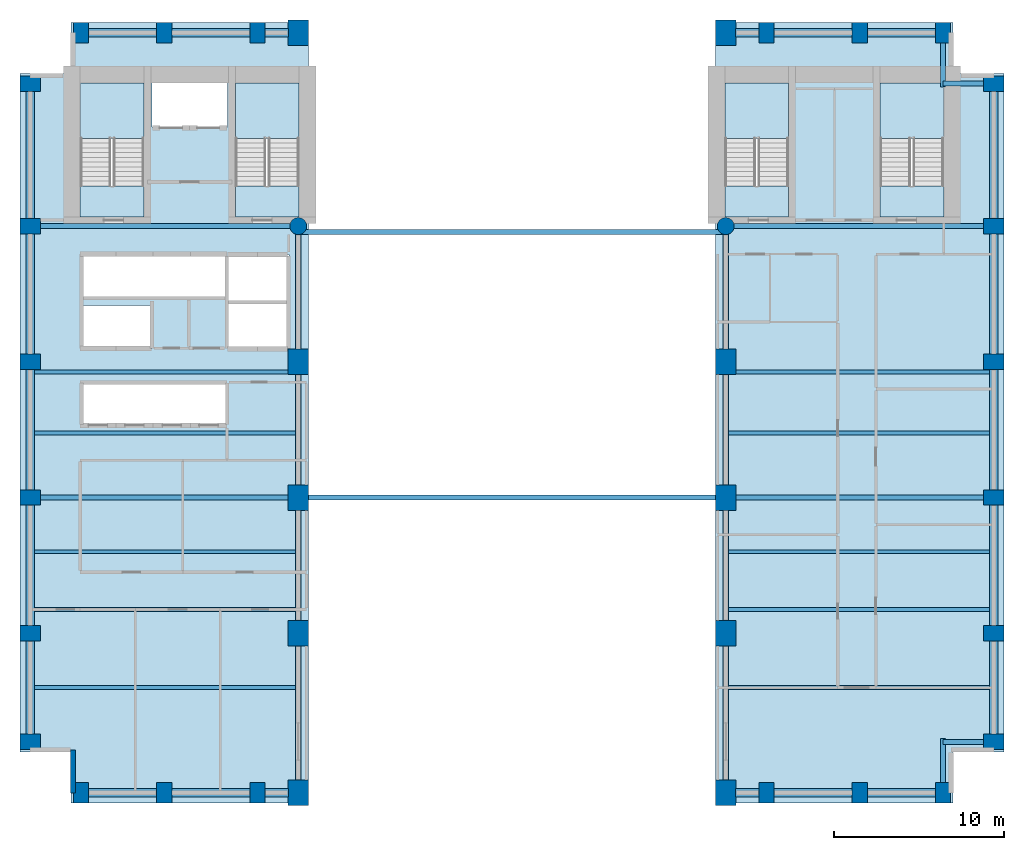
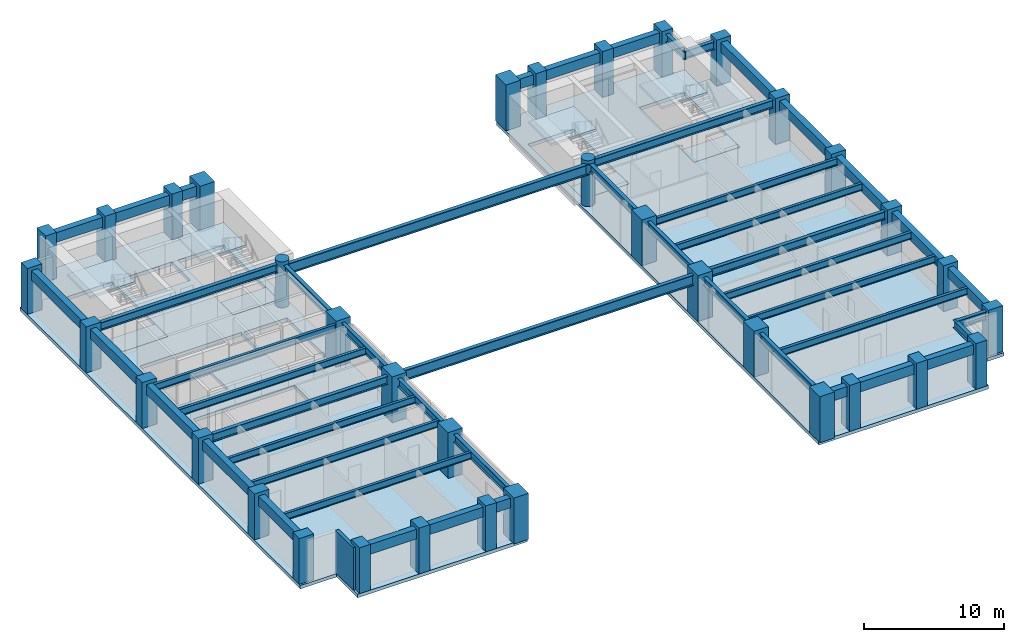
# One storey, part 1 of 7: 46 beams, 36 columns, 10 slabs, 1 wall, 4 elements without a shape of their own.
"""IFC4 building model written with IfcOpenShell, lengths in metres."""

import ifcopenshell
import ifcopenshell.guid

model = None  # the IFC model being written
_history = None  # IfcOwnerHistory: only IFC2X3 demands one
_inside = {}  # id of a spatial element -> (the spatial element, [elements in it])
_under = {}  # id of a project, library or spatial element -> (it, [spatial elements below it])
_declared = {}  # id of a project -> (the project, [libraries it declares])
_typed = {}  # id of a type object -> (the type object, [elements of that type])
_made_of = {}  # id of a material, layer set ... -> (it, [elements and type objects made of it])


def new_model(schema):
    """Start an empty IFC model of exactly this schema.

    Asked for "IFC4X3", IfcOpenShell would pick the latest addendum, in which some entities
    have other attributes; the version numbers below select the first issue.
    IFC2X3 requires an IfcOwnerHistory on every rooted entity: one is made here for all.
    """
    global model, _history
    if schema == "IFC4X3":
        model = ifcopenshell.file(schema_version=(4, 3, 0, 0))
    else:
        model = ifcopenshell.file(schema=schema)
    _inside.clear()
    _under.clear()
    _declared.clear()
    _typed.clear()
    _made_of.clear()
    _history = None
    if model.schema == "IFC2X3":
        org = make("IfcOrganization", Name="unknown")
        user = make(
            "IfcPersonAndOrganization",
            ThePerson=make("IfcPerson", FamilyName="unknown"),
            TheOrganization=org,
        )
        app = make(
            "IfcApplication",
            ApplicationDeveloper=org,
            Version="unknown",
            ApplicationFullName="unknown",
            ApplicationIdentifier="unknown",
        )
        _history = make(
            "IfcOwnerHistory",
            OwningUser=user,
            OwningApplication=app,
            ChangeAction="ADDED",
            CreationDate=0,
        )
    return model


def make(cls, **values):
    """One entity of the class cls with the attributes given. An attribute that is None is left unset."""
    return model.create_entity(
        cls, **{name: value for name, value in values.items() if value is not None}
    )


def rooted(cls, **values):
    """An entity with a GlobalId (a new one), such as an element, a storey or a relation."""
    return make(cls, GlobalId=ifcopenshell.guid.new(), OwnerHistory=_history, **values)


def si_unit(unit_type, name, prefix=None):
    """IfcSIUnit, for example si_unit("LENGTHUNIT", "METRE", prefix="MILLI")."""
    return make("IfcSIUnit", UnitType=unit_type, Prefix=prefix, Name=name)


def assignment(units):
    """IfcUnitAssignment: the units of a project."""
    return None if units is None else make("IfcUnitAssignment", Units=units)


def point(xyz):
    """IfcCartesianPoint."""
    return None if xyz is None else make("IfcCartesianPoint", Coordinates=xyz)


def direction(xyz):
    """IfcDirection."""
    return None if xyz is None else make("IfcDirection", DirectionRatios=xyz)


def frame(location, z_axis=None, x_axis=None):
    """IfcAxis2Placement3D, a coordinate frame: its origin and axes. An axis left out is left unset."""
    return make(
        "IfcAxis2Placement3D",
        Location=point(location),
        Axis=direction(z_axis),
        RefDirection=direction(x_axis),
    )


def frame_2d(location, x_axis=None):
    """IfcAxis2Placement2D, a coordinate frame in the plane: its origin and x axis."""
    return make(
        "IfcAxis2Placement2D", Location=point(location), RefDirection=direction(x_axis)
    )


def origin():
    """The frame at (0, 0, 0) with its axes left unset."""
    return frame((0.0, 0.0, 0.0))


def origin_2d():
    """The frame at (0, 0) in the plane with its x axis left unset."""
    return frame_2d((0.0, 0.0))


def place(relative_to, where):
    """IfcLocalPlacement: puts the frame where relative to a parent placement (None: the world)."""
    return make(
        "IfcLocalPlacement", PlacementRelTo=relative_to, RelativePlacement=where
    )


def context(
    kind, dimensions, precision=None, world=None, true_north=None, identifier=None
):
    """IfcGeometricRepresentationContext, for example the 3D "Model" context."""
    return make(
        "IfcGeometricRepresentationContext",
        ContextIdentifier=identifier,
        ContextType=kind,
        CoordinateSpaceDimension=dimensions,
        Precision=precision,
        WorldCoordinateSystem=world,
        TrueNorth=true_north,
    )


def subcontext(parent, identifier, kind, view, scale=None):
    """IfcGeometricRepresentationSubContext, for example "Body" below "Model"."""
    return make(
        "IfcGeometricRepresentationSubContext",
        ContextIdentifier=identifier,
        ContextType=kind,
        ParentContext=parent,
        TargetScale=scale,
        TargetView=view,
    )


def project(units=None, contexts=None):
    """IfcProject with its units and contexts."""
    return rooted(
        "IfcProject",
        Name="project",
        RepresentationContexts=contexts,
        UnitsInContext=assignment(units),
    )


def spatial(cls, under=None, at=None, **own):
    """A site, building, storey or space (cls), placed at a placement, below another one or the project."""
    s = rooted(cls, ObjectPlacement=at, **own)
    if under is not None:
        _under.setdefault(under.id(), (under, []))[1].append(s)
    return s


def polyline(points):
    """IfcPolyline through the points."""
    return make("IfcPolyline", Points=[point(p) for p in points])


def profile(cls, at=None, kind="AREA", **sizes):
    """A parametric profile (cls). Its sizes go by their IFC names, for example OverallWidth=200.0."""
    return make(cls, ProfileType=kind, Position=at, **sizes)


def rectangle(**sizes):
    """IfcRectangleProfileDef."""
    return profile("IfcRectangleProfileDef", **sizes)


def circle(**sizes):
    """IfcCircleProfileDef."""
    return profile("IfcCircleProfileDef", **sizes)


def i_section(**sizes):
    """IfcIShapeProfileDef."""
    return profile("IfcIShapeProfileDef", **sizes)


def outline(outer, holes=None, kind="AREA"):
    """IfcArbitraryClosedProfileDef: a profile drawn as a closed curve; with holes, ...WithVoids."""
    if holes is None:
        return make("IfcArbitraryClosedProfileDef", ProfileType=kind, OuterCurve=outer)
    return make(
        "IfcArbitraryProfileDefWithVoids",
        ProfileType=kind,
        OuterCurve=outer,
        InnerCurves=holes,
    )


def extrude(swept, where, along, depth):
    """IfcExtrudedAreaSolid: the profile swept, set in the frame where, extruded along a direction by depth."""
    return make(
        "IfcExtrudedAreaSolid",
        SweptArea=swept,
        Position=where,
        ExtrudedDirection=direction(along),
        Depth=depth,
    )


def shape(context_of_items, identifier, shape_type, items):
    """IfcShapeRepresentation: the items that make up one representation, for example the "Body"."""
    return make(
        "IfcShapeRepresentation",
        ContextOfItems=context_of_items,
        RepresentationIdentifier=identifier,
        RepresentationType=shape_type,
        Items=items,
    )


def material(Name=None, Category=None):
    """IfcMaterial."""
    return make("IfcMaterial", Name=Name, Category=Category)


def layer(
    of_material, thickness, ventilated=None, Name=None, Category=None, Priority=None
):
    """IfcMaterialLayer: one layer of a wall or slab, of a material (None: an air gap)."""
    return make(
        "IfcMaterialLayer",
        Material=of_material,
        LayerThickness=thickness,
        IsVentilated=ventilated,
        Name=Name,
        Category=Category,
        Priority=Priority,
    )


def layer_set(layers, Name=None):
    """IfcMaterialLayerSet."""
    return make("IfcMaterialLayerSet", MaterialLayers=layers, LayerSetName=Name)


def material_profile(
    of_material, cross_section, Name=None, Category=None, Priority=None
):
    """IfcMaterialProfile: a cross section and its material."""
    return make(
        "IfcMaterialProfile",
        Name=Name,
        Material=of_material,
        Profile=cross_section,
        Priority=Priority,
        Category=Category,
    )


def profile_set(profiles, Name=None, composite=None):
    """IfcMaterialProfileSet."""
    return make(
        "IfcMaterialProfileSet",
        Name=Name,
        MaterialProfiles=profiles,
        CompositeProfile=composite,
    )


def made_of(thing, what):
    """Note that an element or type object is made of a material, layer set ...; save() writes the relation."""
    if what is not None:
        _made_of.setdefault(what.id(), (what, []))[1].append(thing)
    return thing


def type_object(cls, material=None, **own):
    """A type object (cls), such as IfcWallType, which elements share."""
    return made_of(rooted(cls, **own), material)


def element(
    cls,
    number,
    at=None,
    inside=None,
    cuts=None,
    type_object=None,
    material=None,
    context=None,
    identifier="Body",
    shape_type=None,
    held_by="IfcProductDefinitionShape",
    body=None,
    shapes=None,
    **own,
):
    """One element of the class cls, such as IfcWall. Its Tag is "e" and its number.

    at: its placement. inside: the storey or other place that contains it. cuts: it is an
    opening in that element (IfcRelVoidsElement). A single representation is given by context,
    identifier, shape_type and body (its items); several are given by shapes. held_by: the class
    of the entity that holds the representations. save() writes the other relations.
    """
    e = rooted(cls, Tag="e%d" % number, ObjectPlacement=at, **own)
    if body is not None:
        shapes = [shape(context, identifier, shape_type, body)]
    if shapes is not None:
        e.Representation = make(held_by, Representations=shapes)
    if inside is not None:
        _inside.setdefault(inside.id(), (inside, []))[1].append(e)
    if cuts is not None:
        rooted(
            "IfcRelVoidsElement", RelatingBuildingElement=cuts, RelatedOpeningElement=e
        )
    if type_object is not None:
        _typed.setdefault(type_object.id(), (type_object, []))[1].append(e)
    return made_of(e, material)


def aggregate(whole, parts):
    """IfcRelAggregates: a whole, such as a stair, and the parts it consists of."""
    return rooted("IfcRelAggregates", RelatingObject=whole, RelatedObjects=parts)


def save(model, path):
    """Write the relations noted so far, then the file.

    IfcRelAggregates (storeys below a building ...), IfcRelContainedInSpatialStructure (elements
    in a storey), IfcRelDefinesByType, IfcRelAssociatesMaterial and IfcRelDeclares: one each for
    every whole, place, type object, material and project.
    """
    for whole, parts in _under.values():
        aggregate(whole, parts)
    for where, things in _inside.values():
        rooted(
            "IfcRelContainedInSpatialStructure",
            RelatedElements=things,
            RelatingStructure=where,
        )
    for kind, things in _typed.values():
        rooted("IfcRelDefinesByType", RelatedObjects=things, RelatingType=kind)
    for what, things in _made_of.values():
        rooted("IfcRelAssociatesMaterial", RelatedObjects=things, RelatingMaterial=what)
    for by, libraries in _declared.values():
        rooted("IfcRelDeclares", RelatingContext=by, RelatedDefinitions=libraries)
    model.write(path)


model = new_model("IFC4")

# Units and contexts
model_context = context("Model", 3, precision=1e-05, world=origin(), true_north=direction((0.0, 1.0)))
body_context = subcontext(model_context, "Body", "Model", "MODEL_VIEW")
ifc_project = project(units=[si_unit("LENGTHUNIT", "METRE"), si_unit("AREAUNIT", "SQUARE_METRE"), si_unit("VOLUMEUNIT", "CUBIC_METRE"), si_unit("PLANEANGLEUNIT", "RADIAN"), si_unit("MASSUNIT", "GRAM", prefix="KILO")], contexts=[model_context])

# Site, building, storey
site_placement = place(None, origin())
site = spatial("IfcSite", under=ifc_project, at=site_placement, CompositionType="ELEMENT")
building_placement = place(site_placement, origin())
building = spatial("IfcBuilding", under=site, at=building_placement, Name="Sulina Concourse Tower", CompositionType="ELEMENT")
storey_placement = place(building_placement, frame((0.0, 0.0, 34.60009765625)))
storey = spatial("IfcBuildingStorey", under=building, at=storey_placement, Name="L08", CompositionType="ELEMENT", Elevation=34.60009765625)

# Columns
ifc_material_1 = material(Name="Concrete C60/75", Category="concrete")
ifc_material_profile_1 = material_profile(ifc_material_1, circle(Radius=0.5, at=origin_2d()), Name="RC D1000")
ifc_profile_set_1 = profile_set([ifc_material_profile_1], Name="Concrete C60/75")
column_type_1 = type_object("IfcColumnType", Name="Lower Interior Circular Column D1000", PredefinedType="COLUMN", material=ifc_profile_set_1)
for number, where, z_axis, x_axis, name in (
    (1, (16.39990234375, 34.0, 0.0), (0.0, 0.0, 1.0), (1.0, 0.0, 0.0), "L08 structural column IC-N-164"),
    (2, (41.60009765625, 34.0, 0.0), (0.0, 0.0, 1.0), (1.0, 0.0, 0.0), "L08 structural column IC-N-416"),
):
    element("IfcColumn", number, at=place(storey_placement, frame(where, z_axis=z_axis, x_axis=x_axis)), inside=storey, type_object=column_type_1, Name=name, PredefinedType="COLUMN", context=body_context, shape_type="SweptSolid", body=[
        extrude(circle(Radius=0.5, at=origin_2d()), origin(), (0.0, 0.0, 1.0), 4.0),
    ])
ifc_material_2 = material(Name="Concrete C80/95", Category="concrete")
ifc_material_profile_2 = material_profile(ifc_material_2, rectangle(XDim=1.199951171875, YDim=1.5, at=origin_2d()), Name="RC 1200x1500")
ifc_profile_set_2 = profile_set([ifc_material_profile_2], Name="Concrete C80/95")
column_type_2 = type_object("IfcColumnType", Name="Lower Portal End-Leg Column 1200x1500", PredefinedType="COLUMN", material=ifc_profile_set_2)
for number, where, z_axis, x_axis, name in (
    (3, (16.39990234375, 0.60009765625, 0.0), (0.0, 0.0, 1.0), (1.0, 0.0, 0.0), "L08 structural column TP-S-164"),
    (4, (16.39990234375, 45.39990234375, 0.0), (0.0, 0.0, 1.0), (1.0, 0.0, 0.0), "L08 structural column TP-N-164"),
    (5, (41.60009765625, 0.60009765625, 0.0), (0.0, 0.0, 1.0), (1.0, 0.0, 0.0), "L08 structural column TP-S-416"),
    (6, (41.60009765625, 45.39990234375, 0.0), (0.0, 0.0, 1.0), (1.0, 0.0, 0.0), "L08 structural column TP-N-416"),
    (7, (16.39990234375, 10.0, 0.0), (0.0, 0.0, 1.0), (1.0, 0.0, 0.0), "L08 structural column LP-FW-10"),
    (8, (41.60009765625, 10.0, 0.0), (0.0, 0.0, 1.0), (1.0, 0.0, 0.0), "L08 structural column LP-FE-10"),
    (9, (16.39990234375, 18.0, 0.0), (0.0, 0.0, 1.0), (1.0, 0.0, 0.0), "L08 structural column LP-FW-18"),
    (10, (41.60009765625, 18.0, 0.0), (0.0, 0.0, 1.0), (1.0, 0.0, 0.0), "L08 structural column LP-FE-18"),
    (11, (16.39990234375, 26.0, 0.0), (0.0, 0.0, 1.0), (1.0, 0.0, 0.0), "L08 structural column LP-FW-26"),
    (12, (41.60009765625, 26.0, 0.0), (0.0, 0.0, 1.0), (1.0, 0.0, 0.0), "L08 structural column LP-FE-26"),
):
    element("IfcColumn", number, at=place(storey_placement, frame(where, z_axis=z_axis, x_axis=x_axis)), inside=storey, type_object=column_type_2, Name=name, PredefinedType="COLUMN", context=body_context, shape_type="SweptSolid", body=[
        extrude(rectangle(XDim=1.199951171875, YDim=1.5, at=origin_2d()), origin(), (0.0, 0.0, 1.0), 4.0),
    ])
ifc_material_3 = material(Name="Precast concrete C60/75", Category="concrete")
ifc_material_profile_3 = material_profile(ifc_material_3, rectangle(XDim=0.89990234375, YDim=1.199951171875, at=origin_2d()), Name="PC 900x1200")
ifc_profile_set_3 = profile_set([ifc_material_profile_3], Name="Precast concrete C60/75")
column_type_3 = type_object("IfcColumnType", Name="Precast Tube Pier Zone 1 900x1200", PredefinedType="COLUMN", material=ifc_profile_set_3)
for number, where, z_axis, x_axis, name in (
    (13, (3.60009765625, 0.60009765625, 0.0), (0.0, 0.0, 1.0), (1.0, 0.0, 0.0), "L08 structural column TP-S-36"),
    (14, (3.60009765625, 45.39990234375, 0.0), (0.0, 0.0, 1.0), (1.0, 0.0, 0.0), "L08 structural column TP-N-36"),
    (15, (8.5, 0.60009765625, 0.0), (0.0, 0.0, 1.0), (1.0, 0.0, 0.0), "L08 structural column TP-S-85"),
    (16, (8.5, 45.39990234375, 0.0), (0.0, 0.0, 1.0), (1.0, 0.0, 0.0), "L08 structural column TP-N-85"),
    (17, (14.0, 0.60009765625, 0.0), (0.0, 0.0, 1.0), (1.0, 0.0, 0.0), "L08 structural column TP-S-140"),
    (18, (14.0, 45.39990234375, 0.0), (0.0, 0.0, 1.0), (1.0, 0.0, 0.0), "L08 structural column TP-N-140"),
    (19, (44.0, 0.60009765625, 0.0), (0.0, 0.0, 1.0), (1.0, 0.0, 0.0), "L08 structural column TP-S-440"),
    (20, (44.0, 45.39990234375, 0.0), (0.0, 0.0, 1.0), (1.0, 0.0, 0.0), "L08 structural column TP-N-440"),
    (21, (49.5, 0.60009765625, 0.0), (0.0, 0.0, 1.0), (1.0, 0.0, 0.0), "L08 structural column TP-S-495"),
    (22, (49.5, 45.39990234375, 0.0), (0.0, 0.0, 1.0), (1.0, 0.0, 0.0), "L08 structural column TP-N-495"),
    (23, (54.39990234375, 0.60009765625, 0.0), (0.0, 0.0, 1.0), (1.0, 0.0, 0.0), "L08 structural column TP-S-544"),
    (24, (54.39990234375, 45.39990234375, 0.0), (0.0, 0.0, 1.0), (1.0, 0.0, 0.0), "L08 structural column TP-N-544"),
    (25, (0.60009765625, 3.60009765625, 0.0), (0.0, 0.0, 1.0), (0.0, 1.0, 0.0), "L08 structural column TP-W-36"),
    (26, (57.39990234375, 3.60009765625, 0.0), (0.0, 0.0, 1.0), (0.0, 1.0, 0.0), "L08 structural column TP-E-36"),
    (27, (0.60009765625, 10.0, 0.0), (0.0, 0.0, 1.0), (0.0, 1.0, 0.0), "L08 structural column TP-W-100"),
    (28, (57.39990234375, 10.0, 0.0), (0.0, 0.0, 1.0), (0.0, 1.0, 0.0), "L08 structural column TP-E-100"),
    (29, (0.60009765625, 18.0, 0.0), (0.0, 0.0, 1.0), (0.0, 1.0, 0.0), "L08 structural column TP-W-180"),
    (30, (57.39990234375, 18.0, 0.0), (0.0, 0.0, 1.0), (0.0, 1.0, 0.0), "L08 structural column TP-E-180"),
    (31, (0.60009765625, 26.0, 0.0), (0.0, 0.0, 1.0), (0.0, 1.0, 0.0), "L08 structural column TP-W-260"),
    (32, (57.39990234375, 26.0, 0.0), (0.0, 0.0, 1.0), (0.0, 1.0, 0.0), "L08 structural column TP-E-260"),
    (33, (0.60009765625, 34.0, 0.0), (0.0, 0.0, 1.0), (0.0, 1.0, 0.0), "L08 structural column TP-W-340"),
    (34, (57.39990234375, 34.0, 0.0), (0.0, 0.0, 1.0), (0.0, 1.0, 0.0), "L08 structural column TP-E-340"),
    (35, (0.60009765625, 42.39990234375, 0.0), (0.0, 0.0, 1.0), (0.0, 1.0, 0.0), "L08 structural column TP-W-424"),
    (36, (57.39990234375, 42.39990234375, 0.0), (0.0, 0.0, 1.0), (0.0, 1.0, 0.0), "L08 structural column TP-E-424"),
):
    element("IfcColumn", number, at=place(storey_placement, frame(where, z_axis=z_axis, x_axis=x_axis)), inside=storey, type_object=column_type_3, Name=name, PredefinedType="COLUMN", context=body_context, shape_type="SweptSolid", body=[
        extrude(rectangle(XDim=0.89990234375, YDim=1.199951171875, at=origin_2d()), origin(), (0.0, 0.0, 1.0), 4.0),
    ])

# Beams
ifc_material_4 = material(Name="Steel S355", Category="steel")
ifc_material_profile_4 = material_profile(ifc_material_4, i_section(OverallWidth=0.219970703125, OverallDepth=0.60009765625, WebThickness=0.011962890625, FlangeThickness=0.01904296875, at=origin_2d()), Name="IPE 600")
ifc_profile_set_4 = profile_set([ifc_material_profile_4], Name="Steel S355")
beam_type_1 = type_object("IfcBeamType", Name="Composite Floor Joist IPE600", PredefinedType="JOIST", material=ifc_profile_set_4)
for number, where, z_axis, x_axis, name in (
    (37, (0.85009765625, 6.800048828125, 3.39990234375), (1.0, 0.0, 0.0), (0.0, 1.0, 0.0), "FJ-J06-1-L08"),
    (38, (41.75, 6.800048828125, 3.39990234375), (1.0, 0.0, 0.0), (0.0, 1.0, 0.0), "FJ-J06-3-L08"),
    (39, (0.85009765625, 11.39990234375, 3.39990234375), (1.0, 0.0, 0.0), (0.0, 1.0, 0.0), "FJ-J11-1-L08"),
    (40, (41.75, 11.39990234375, 3.39990234375), (1.0, 0.0, 0.0), (0.0, 1.0, 0.0), "FJ-J11-3-L08"),
    (41, (0.85009765625, 14.800048828125, 3.39990234375), (1.0, 0.0, 0.0), (0.0, 1.0, 0.0), "FJ-J15-1-L08"),
    (42, (41.75, 14.800048828125, 3.39990234375), (1.0, 0.0, 0.0), (0.0, 1.0, 0.0), "FJ-J15-3-L08"),
    (43, (0.85009765625, 21.800048828125, 3.39990234375), (1.0, 0.0, 0.0), (0.0, 1.0, 0.0), "FJ-J22-1-L08"),
    (44, (41.75, 21.800048828125, 3.39990234375), (1.0, 0.0, 0.0), (0.0, 1.0, 0.0), "FJ-J22-3-L08"),
    (45, (0.85009765625, 25.39990234375, 3.39990234375), (1.0, 0.0, 0.0), (0.0, 1.0, 0.0), "FJ-J25-1-L08"),
    (46, (41.75, 25.39990234375, 3.39990234375), (1.0, 0.0, 0.0), (0.0, 1.0, 0.0), "FJ-J25-3-L08"),
):
    element("IfcBeam", number, at=place(storey_placement, frame(where, z_axis=z_axis, x_axis=x_axis)), inside=storey, type_object=beam_type_1, Name=name, PredefinedType="JOIST", context=body_context, shape_type="SweptSolid", body=[
        extrude(i_section(OverallWidth=0.219970703125, OverallDepth=0.60009765625, WebThickness=0.011962890625, FlangeThickness=0.01904296875, at=origin_2d()), origin(), (0.0, 0.0, 1.0), 15.39990234375),
    ])
ifc_material_5 = material(Name="Steel S355", Category="steel")
ifc_material_profile_5 = material_profile(ifc_material_5, i_section(OverallWidth=0.300048828125, OverallDepth=0.699951171875, WebThickness=0.01708984375, FlangeThickness=0.031982421875, at=origin_2d()), Name="HE 700 B")
ifc_profile_set_5 = profile_set([ifc_material_profile_5], Name="Steel S355")
beam_type_2 = type_object("IfcBeamType", Name="Floor Primary Girder Zone 1 HE700B", PredefinedType="BEAM", material=ifc_profile_set_5)
for number, where, z_axis, x_axis, name in (
    (47, (54.39990234375, 3.60009765625, 3.349853515625), (1.0, 0.0, 0.0), (0.0, 1.0, 0.0), "TIE-SE-L08"),
    (48, (54.39990234375, 42.39990234375, 3.349853515625), (1.0, 0.0, 0.0), (0.0, 1.0, 0.0), "TIE-NE-L08"),
):
    element("IfcBeam", number, at=place(storey_placement, frame(where, z_axis=z_axis, x_axis=x_axis)), inside=storey, type_object=beam_type_2, Name=name, PredefinedType="BEAM", context=body_context, shape_type="SweptSolid", body=[
        extrude(i_section(OverallWidth=0.300048828125, OverallDepth=0.699951171875, WebThickness=0.01708984375, FlangeThickness=0.031982421875, at=origin_2d()), origin(), (0.0, 0.0, 1.0), 2.570068359375),
    ])
for number, where, z_axis, x_axis, name in (
    (49, (54.39990234375, 1.030029296875, 3.349853515625), (0.0, 1.0, 0.0), (-1.0, 0.0, 0.0), "TIE-SES-L08"),
    (50, (54.39990234375, 42.199951171875, 3.349853515625), (0.0, 1.0, 0.0), (-1.0, 0.0, 0.0), "TIE-NEN-L08"),
):
    element("IfcBeam", number, at=place(storey_placement, frame(where, z_axis=z_axis, x_axis=x_axis)), inside=storey, type_object=beam_type_2, Name=name, PredefinedType="BEAM", context=body_context, shape_type="SweptSolid", body=[
        extrude(i_section(OverallWidth=0.300048828125, OverallDepth=0.699951171875, WebThickness=0.01708984375, FlangeThickness=0.031982421875, at=origin_2d()), origin(), (0.0, 0.0, 1.0), 2.77001953125),
    ])
for number, where, z_axis, x_axis, name in (
    (51, (1.030029296875, 18.0, 3.349853515625), (1.0, 0.0, 0.0), (0.0, 1.0, 0.0), "FG-EW1-L08"),
    (52, (42.179931640625, 18.0, 3.349853515625), (1.0, 0.0, 0.0), (0.0, 1.0, 0.0), "FG-EW3-L08"),
):
    element("IfcBeam", number, at=place(storey_placement, frame(where, z_axis=z_axis, x_axis=x_axis)), inside=storey, type_object=beam_type_2, Name=name, PredefinedType="BEAM", context=body_context, shape_type="SweptSolid", body=[
        extrude(i_section(OverallWidth=0.300048828125, OverallDepth=0.699951171875, WebThickness=0.01708984375, FlangeThickness=0.031982421875, at=origin_2d()), origin(), (0.0, 0.0, 1.0), 14.7900390625),
    ])
for number, where, z_axis, x_axis, name in (
    (53, (1.030029296875, 34.0, 3.349853515625), (1.0, 0.0, 0.0), (0.0, 1.0, 0.0), "FG-EWN1-L08"),
    (54, (42.080078125, 34.0, 3.349853515625), (1.0, 0.0, 0.0), (0.0, 1.0, 0.0), "FG-EWN3-L08"),
):
    element("IfcBeam", number, at=place(storey_placement, frame(where, z_axis=z_axis, x_axis=x_axis)), inside=storey, type_object=beam_type_2, Name=name, PredefinedType="BEAM", context=body_context, shape_type="SweptSolid", body=[
        extrude(i_section(OverallWidth=0.300048828125, OverallDepth=0.699951171875, WebThickness=0.01708984375, FlangeThickness=0.031982421875, at=origin_2d()), origin(), (0.0, 0.0, 1.0), 14.889892578125),
    ])
beam_1_placement = place(storey_placement, frame((16.39990234375, 1.179931640625, 3.349853515625), z_axis=(0.0, 1.0, 0.0), x_axis=(-1.0, 0.0, 0.0)))
element("IfcBeam", 55, at=beam_1_placement, inside=storey, type_object=beam_type_2, Name="FG-NSA-16-L08", PredefinedType="BEAM", context=body_context, shape_type="SweptSolid", body=[
    extrude(i_section(OverallWidth=0.300048828125, OverallDepth=0.699951171875, WebThickness=0.01708984375, FlangeThickness=0.031982421875, at=origin_2d()), origin(), (0.0, 0.0, 1.0), 16.239990234375),
])
beam_2_placement = place(storey_placement, frame((16.39990234375, 18.580078125, 3.349853515625), z_axis=(0.0, 1.0, 0.0), x_axis=(-1.0, 0.0, 0.0)))
element("IfcBeam", 56, at=beam_2_placement, inside=storey, type_object=beam_type_2, Name="FG-NSB-16-L08", PredefinedType="BEAM", context=body_context, shape_type="SweptSolid", body=[
    extrude(i_section(OverallWidth=0.300048828125, OverallDepth=0.699951171875, WebThickness=0.01708984375, FlangeThickness=0.031982421875, at=origin_2d()), origin(), (0.0, 0.0, 1.0), 14.93994140625),
])
beam_3_placement = place(storey_placement, frame((41.60009765625, 1.179931640625, 3.349853515625), z_axis=(0.0, 1.0, 0.0), x_axis=(-1.0, 0.0, 0.0)))
element("IfcBeam", 57, at=beam_3_placement, inside=storey, type_object=beam_type_2, Name="FG-NSA-41-L08", PredefinedType="BEAM", context=body_context, shape_type="SweptSolid", body=[
    extrude(i_section(OverallWidth=0.300048828125, OverallDepth=0.699951171875, WebThickness=0.01708984375, FlangeThickness=0.031982421875, at=origin_2d()), origin(), (0.0, 0.0, 1.0), 16.239990234375),
])
beam_4_placement = place(storey_placement, frame((41.60009765625, 18.580078125, 3.349853515625), z_axis=(0.0, 1.0, 0.0), x_axis=(-1.0, 0.0, 0.0)))
element("IfcBeam", 58, at=beam_4_placement, inside=storey, type_object=beam_type_2, Name="FG-NSB-41-L08", PredefinedType="BEAM", context=body_context, shape_type="SweptSolid", body=[
    extrude(i_section(OverallWidth=0.300048828125, OverallDepth=0.699951171875, WebThickness=0.01708984375, FlangeThickness=0.031982421875, at=origin_2d()), origin(), (0.0, 0.0, 1.0), 14.93994140625),
])
ifc_material_6 = material(Name="Steel S355", Category="steel")
ifc_material_profile_6 = material_profile(ifc_material_6, i_section(OverallWidth=0.302001953125, OverallDepth=0.909912109375, WebThickness=0.02099609375, FlangeThickness=0.0400390625, at=origin_2d()), Name="HE 900 M")
ifc_profile_set_6 = profile_set([ifc_material_profile_6], Name="Steel S355")
beam_type_3 = type_object("IfcBeamType", Name="Lower Portal Bridge Girder HE900M", PredefinedType="BEAM", material=ifc_profile_set_6)
beam_5_placement = place(storey_placement, frame((17.0, 18.0, 3.244873046875), z_axis=(1.0, 0.0, 0.0), x_axis=(0.0, 1.0, 0.0)))
element("IfcBeam", 59, at=beam_5_placement, inside=storey, type_object=beam_type_3, Name="TB-LP3-1-L08", PredefinedType="BEAM", context=body_context, shape_type="SweptSolid", body=[
    extrude(i_section(OverallWidth=0.302001953125, OverallDepth=0.909912109375, WebThickness=0.02099609375, FlangeThickness=0.0400390625, at=origin_2d()), origin(), (0.0, 0.0, 1.0), 24.0),
])
beam_6_placement = place(storey_placement, frame((16.449951171875, 33.64990234375, 3.244873046875), z_axis=(1.0, 0.0, 0.0), x_axis=(0.0, 1.0, 0.0)))
element("IfcBeam", 60, at=beam_6_placement, inside=storey, type_object=beam_type_3, Name="TB-LP3-2-L08", PredefinedType="BEAM", context=body_context, shape_type="SweptSolid", body=[
    extrude(i_section(OverallWidth=0.302001953125, OverallDepth=0.909912109375, WebThickness=0.02099609375, FlangeThickness=0.0400390625, at=origin_2d()), origin(), (0.0, 0.0, 1.0), 25.10009765625),
])
ifc_material_7 = material(Name="Precast concrete C50/60", Category="concrete")
ifc_material_profile_7 = material_profile(ifc_material_7, rectangle(XDim=0.5, YDim=0.85009765625, at=origin_2d()), Name="RC 500x850")
ifc_profile_set_7 = profile_set([ifc_material_profile_7], Name="Precast concrete C50/60")
beam_type_4 = type_object("IfcBeamType", Name="Lower Precast Spandrel Edge Beam 500x850", PredefinedType="BEAM", material=ifc_profile_set_7)
beam_7_placement = place(storey_placement, frame((4.030029296875, 0.60009765625, 3.27490234375), z_axis=(1.0, 0.0, 0.0), x_axis=(0.0, 1.0, 0.0)))
element("IfcBeam", 61, at=beam_7_placement, inside=storey, type_object=beam_type_4, Name="SP-S1-L08", PredefinedType="BEAM", context=body_context, shape_type="SweptSolid", body=[
    extrude(rectangle(XDim=0.5, YDim=0.85009765625, at=origin_2d()), origin(), (0.0, 0.0, 1.0), 4.0400390625),
])
beam_8_placement = place(storey_placement, frame((8.929931640625, 0.60009765625, 3.27490234375), z_axis=(1.0, 0.0, 0.0), x_axis=(0.0, 1.0, 0.0)))
element("IfcBeam", 62, at=beam_8_placement, inside=storey, type_object=beam_type_4, Name="SP-S2-L08", PredefinedType="BEAM", context=body_context, shape_type="SweptSolid", body=[
    extrude(rectangle(XDim=0.5, YDim=0.85009765625, at=origin_2d()), origin(), (0.0, 0.0, 1.0), 4.64013671875),
])
for number, where, z_axis, x_axis, name in (
    (63, (14.429931640625, 0.60009765625, 3.27490234375), (1.0, 0.0, 0.0), (0.0, 1.0, 0.0), "SP-S3-L08"),
    (64, (42.179931640625, 0.60009765625, 3.27490234375), (1.0, 0.0, 0.0), (0.0, 1.0, 0.0), "SP-S5-L08"),
):
    element("IfcBeam", number, at=place(storey_placement, frame(where, z_axis=z_axis, x_axis=x_axis)), inside=storey, type_object=beam_type_4, Name=name, PredefinedType="BEAM", context=body_context, shape_type="SweptSolid", body=[
        extrude(rectangle(XDim=0.5, YDim=0.85009765625, at=origin_2d()), origin(), (0.0, 0.0, 1.0), 1.39013671875),
    ])
beam_9_placement = place(storey_placement, frame((44.429931640625, 0.60009765625, 3.27490234375), z_axis=(1.0, 0.0, 0.0), x_axis=(0.0, 1.0, 0.0)))
element("IfcBeam", 65, at=beam_9_placement, inside=storey, type_object=beam_type_4, Name="SP-S6-L08", PredefinedType="BEAM", context=body_context, shape_type="SweptSolid", body=[
    extrude(rectangle(XDim=0.5, YDim=0.85009765625, at=origin_2d()), origin(), (0.0, 0.0, 1.0), 4.64013671875),
])
for number, where, z_axis, x_axis, name in (
    (66, (49.929931640625, 0.60009765625, 3.27490234375), (1.0, 0.0, 0.0), (0.0, 1.0, 0.0), "SP-S7-L08"),
    (67, (4.030029296875, 45.39990234375, 3.27490234375), (1.0, 0.0, 0.0), (0.0, 1.0, 0.0), "SP-N1-L08"),
):
    element("IfcBeam", number, at=place(storey_placement, frame(where, z_axis=z_axis, x_axis=x_axis)), inside=storey, type_object=beam_type_4, Name=name, PredefinedType="BEAM", context=body_context, shape_type="SweptSolid", body=[
        extrude(rectangle(XDim=0.5, YDim=0.85009765625, at=origin_2d()), origin(), (0.0, 0.0, 1.0), 4.0400390625),
    ])
beam_10_placement = place(storey_placement, frame((8.929931640625, 45.39990234375, 3.27490234375), z_axis=(1.0, 0.0, 0.0), x_axis=(0.0, 1.0, 0.0)))
element("IfcBeam", 68, at=beam_10_placement, inside=storey, type_object=beam_type_4, Name="SP-N2-L08", PredefinedType="BEAM", context=body_context, shape_type="SweptSolid", body=[
    extrude(rectangle(XDim=0.5, YDim=0.85009765625, at=origin_2d()), origin(), (0.0, 0.0, 1.0), 4.64013671875),
])
for number, where, z_axis, x_axis, name in (
    (69, (14.429931640625, 45.39990234375, 3.27490234375), (1.0, 0.0, 0.0), (0.0, 1.0, 0.0), "SP-N3-L08"),
    (70, (42.179931640625, 45.39990234375, 3.27490234375), (1.0, 0.0, 0.0), (0.0, 1.0, 0.0), "SP-N5-L08"),
):
    element("IfcBeam", number, at=place(storey_placement, frame(where, z_axis=z_axis, x_axis=x_axis)), inside=storey, type_object=beam_type_4, Name=name, PredefinedType="BEAM", context=body_context, shape_type="SweptSolid", body=[
        extrude(rectangle(XDim=0.5, YDim=0.85009765625, at=origin_2d()), origin(), (0.0, 0.0, 1.0), 1.39013671875),
    ])
beam_11_placement = place(storey_placement, frame((44.429931640625, 45.39990234375, 3.27490234375), z_axis=(1.0, 0.0, 0.0), x_axis=(0.0, 1.0, 0.0)))
element("IfcBeam", 71, at=beam_11_placement, inside=storey, type_object=beam_type_4, Name="SP-N6-L08", PredefinedType="BEAM", context=body_context, shape_type="SweptSolid", body=[
    extrude(rectangle(XDim=0.5, YDim=0.85009765625, at=origin_2d()), origin(), (0.0, 0.0, 1.0), 4.64013671875),
])
beam_12_placement = place(storey_placement, frame((49.929931640625, 45.39990234375, 3.27490234375), z_axis=(1.0, 0.0, 0.0), x_axis=(0.0, 1.0, 0.0)))
element("IfcBeam", 72, at=beam_12_placement, inside=storey, type_object=beam_type_4, Name="SP-N7-L08", PredefinedType="BEAM", context=body_context, shape_type="SweptSolid", body=[
    extrude(rectangle(XDim=0.5, YDim=0.85009765625, at=origin_2d()), origin(), (0.0, 0.0, 1.0), 4.0400390625),
])
beam_13_placement = place(storey_placement, frame((0.60009765625, 4.030029296875, 3.27490234375), z_axis=(0.0, 1.0, 0.0), x_axis=(-1.0, 0.0, 0.0)))
element("IfcBeam", 73, at=beam_13_placement, inside=storey, type_object=beam_type_4, Name="SP-W1-L08", PredefinedType="BEAM", context=body_context, shape_type="SweptSolid", body=[
    extrude(rectangle(XDim=0.5, YDim=0.85009765625, at=origin_2d()), origin(), (0.0, 0.0, 1.0), 5.5400390625),
])
for number, where, z_axis, x_axis, name in (
    (74, (0.60009765625, 10.429931640625, 3.27490234375), (0.0, 1.0, 0.0), (-1.0, 0.0, 0.0), "SP-W2-L08"),
    (75, (0.60009765625, 18.429931640625, 3.27490234375), (0.0, 1.0, 0.0), (-1.0, 0.0, 0.0), "SP-W3-L08"),
    (76, (0.60009765625, 26.429931640625, 3.27490234375), (0.0, 1.0, 0.0), (-1.0, 0.0, 0.0), "SP-W4-L08"),
):
    element("IfcBeam", number, at=place(storey_placement, frame(where, z_axis=z_axis, x_axis=x_axis)), inside=storey, type_object=beam_type_4, Name=name, PredefinedType="BEAM", context=body_context, shape_type="SweptSolid", body=[
        extrude(rectangle(XDim=0.5, YDim=0.85009765625, at=origin_2d()), origin(), (0.0, 0.0, 1.0), 7.14013671875),
    ])
beam_14_placement = place(storey_placement, frame((0.60009765625, 34.429931640625, 3.27490234375), z_axis=(0.0, 1.0, 0.0), x_axis=(-1.0, 0.0, 0.0)))
element("IfcBeam", 77, at=beam_14_placement, inside=storey, type_object=beam_type_4, Name="SP-W5-L08", PredefinedType="BEAM", context=body_context, shape_type="SweptSolid", body=[
    extrude(rectangle(XDim=0.5, YDim=0.85009765625, at=origin_2d()), origin(), (0.0, 0.0, 1.0), 7.5400390625),
])
beam_15_placement = place(storey_placement, frame((57.39990234375, 4.030029296875, 3.27490234375), z_axis=(0.0, 1.0, 0.0), x_axis=(-1.0, 0.0, 0.0)))
element("IfcBeam", 78, at=beam_15_placement, inside=storey, type_object=beam_type_4, Name="SP-E1-L08", PredefinedType="BEAM", context=body_context, shape_type="SweptSolid", body=[
    extrude(rectangle(XDim=0.5, YDim=0.85009765625, at=origin_2d()), origin(), (0.0, 0.0, 1.0), 5.5400390625),
])
for number, where, z_axis, x_axis, name in (
    (79, (57.39990234375, 10.429931640625, 3.27490234375), (0.0, 1.0, 0.0), (-1.0, 0.0, 0.0), "SP-E2-L08"),
    (80, (57.39990234375, 18.429931640625, 3.27490234375), (0.0, 1.0, 0.0), (-1.0, 0.0, 0.0), "SP-E3-L08"),
    (81, (57.39990234375, 26.429931640625, 3.27490234375), (0.0, 1.0, 0.0), (-1.0, 0.0, 0.0), "SP-E4-L08"),
):
    element("IfcBeam", number, at=place(storey_placement, frame(where, z_axis=z_axis, x_axis=x_axis)), inside=storey, type_object=beam_type_4, Name=name, PredefinedType="BEAM", context=body_context, shape_type="SweptSolid", body=[
        extrude(rectangle(XDim=0.5, YDim=0.85009765625, at=origin_2d()), origin(), (0.0, 0.0, 1.0), 7.14013671875),
    ])
beam_16_placement = place(storey_placement, frame((57.39990234375, 34.429931640625, 3.27490234375), z_axis=(0.0, 1.0, 0.0), x_axis=(-1.0, 0.0, 0.0)))
element("IfcBeam", 82, at=beam_16_placement, inside=storey, type_object=beam_type_4, Name="SP-E5-L08", PredefinedType="BEAM", context=body_context, shape_type="SweptSolid", body=[
    extrude(rectangle(XDim=0.5, YDim=0.85009765625, at=origin_2d()), origin(), (0.0, 0.0, 1.0), 7.5400390625),
])

# Slabs
ifc_material_8 = material(Name="Concrete C50/60", Category="concrete")
ifc_layer_1 = layer(ifc_material_8, 0.300048828125)
ifc_layer_set_1 = layer_set([ifc_layer_1], Name="Concrete C50/60")
slab_type_1 = type_object("IfcSlabType", Name="Low-Rise Composite Floor Slab 300mm", PredefinedType="FLOOR", material=ifc_layer_set_1)
slab_1_placement = place(storey_placement, frame((0.0, 0.0, -0.300048828125)))
element("IfcSlab", 83, at=slab_1_placement, inside=storey, type_object=slab_type_1, Name="L08 structural floor slab-P1", PredefinedType="FLOOR", context=body_context, shape_type="SweptSolid", body=[
    extrude(outline(polyline([(3.0, 0.0), (17.0, 0.0), (17.0, 46.0), (3.0, 46.0), (3.0, 43.0), (0.0, 43.0), (0.0, 3.0), (3.0, 3.0), (3.0, 0.0)]), holes=[polyline([(7.31005859375, 34.550048828125), (7.31005859375, 42.429931640625), (3.550048828125, 42.429931640625), (3.550048828125, 34.550048828125), (7.31005859375, 34.550048828125)]), polyline([(16.449951171875, 34.550048828125), (16.449951171875, 42.429931640625), (12.68994140625, 42.429931640625), (12.68994140625, 34.550048828125), (16.449951171875, 34.550048828125)]), polyline([(7.780029296875, 39.830078125), (12.219970703125, 39.830078125), (12.219970703125, 42.449951171875), (7.780029296875, 42.449951171875), (7.780029296875, 39.830078125)]), polyline([(3.739990234375, 26.780029296875), (7.77001953125, 26.780029296875), (7.77001953125, 29.320068359375), (3.739990234375, 29.320068359375), (3.739990234375, 26.780029296875)]), polyline([(3.739990234375, 29.780029296875), (12.10009765625, 29.780029296875), (12.10009765625, 32.3701171875), (3.739990234375, 32.3701171875), (3.739990234375, 29.780029296875)]), polyline([(3.739990234375, 22.280029296875), (12.10009765625, 22.280029296875), (12.10009765625, 24.77001953125), (3.739990234375, 24.77001953125), (3.739990234375, 22.280029296875)]), polyline([(12.280029296875, 26.780029296875), (15.85009765625, 26.780029296875), (15.85009765625, 32.320068359375), (12.280029296875, 32.320068359375), (12.280029296875, 26.780029296875)])]), origin(), (0.0, 0.0, 1.0), 0.300048828125),
])
slab_2_placement = place(storey_placement, frame((0.0, 0.0, -0.300048828125)))
element("IfcSlab", 84, at=slab_2_placement, inside=storey, type_object=slab_type_1, Name="L08 structural floor slab-P2", PredefinedType="FLOOR", context=body_context, shape_type="SweptSolid", body=[
    extrude(outline(polyline([(41.0, 0.0), (55.0, 0.0), (55.0, 3.0), (58.0, 3.0), (58.0, 43.0), (55.0, 43.0), (55.0, 46.0), (41.0, 46.0), (41.0, 0.0)]), holes=[polyline([(45.31005859375, 34.550048828125), (45.31005859375, 42.429931640625), (41.550048828125, 42.429931640625), (41.550048828125, 34.550048828125), (45.31005859375, 34.550048828125)]), polyline([(54.449951171875, 34.550048828125), (54.449951171875, 42.429931640625), (50.68994140625, 42.429931640625), (50.68994140625, 34.550048828125), (54.449951171875, 34.550048828125)])]), origin(), (0.0, 0.0, 1.0), 0.300048828125),
])
ifc_material_9 = material(Name="Concrete C50/60", Category="concrete")
ifc_layer_2 = layer(ifc_material_9, 0.199951171875)
ifc_layer_set_2 = layer_set([ifc_layer_2], Name="Concrete C50/60")
slab_type_2 = type_object("IfcSlabType", Name="Primary Core Stair Landing Slab 200mm", PredefinedType="LANDING", material=ifc_layer_set_2)
slab_3_placement = place(storey_placement, frame((0.0, 0.0, -0.2001953125)))
element("IfcSlab", 85, at=slab_3_placement, inside=storey, type_object=slab_type_2, Name="L08 ST-1 floor landing slab", PredefinedType="LANDING", context=body_context, shape_type="SweptSolid", body=[
    extrude(outline(polyline([(7.31005859375, 34.550048828125), (7.31005859375, 36.375), (3.550048828125, 36.375), (3.550048828125, 34.550048828125), (7.31005859375, 34.550048828125)])), origin(), (0.0, 0.0, 1.0), 0.2001953125),
])
slab_4_placement = place(storey_placement, frame((0.0, 0.0, -0.2001953125)))
element("IfcSlab", 86, at=slab_4_placement, inside=storey, type_object=slab_type_2, Name="L08 ST-2 floor landing slab", PredefinedType="LANDING", context=body_context, shape_type="SweptSolid", body=[
    extrude(outline(polyline([(16.449951171875, 34.550048828125), (16.449951171875, 36.375), (12.68994140625, 36.375), (12.68994140625, 34.550048828125), (16.449951171875, 34.550048828125)])), origin(), (0.0, 0.0, 1.0), 0.2001953125),
])
slab_5_placement = place(storey_placement, frame((0.0, 0.0, -0.2001953125)))
element("IfcSlab", 87, at=slab_5_placement, inside=storey, type_object=slab_type_2, Name="L08 ST-3 floor landing slab", PredefinedType="LANDING", context=body_context, shape_type="SweptSolid", body=[
    extrude(outline(polyline([(45.31005859375, 34.550048828125), (45.31005859375, 36.375), (41.550048828125, 36.375), (41.550048828125, 34.550048828125), (45.31005859375, 34.550048828125)])), origin(), (0.0, 0.0, 1.0), 0.2001953125),
])
slab_6_placement = place(storey_placement, frame((0.0, 0.0, -0.2001953125)))
element("IfcSlab", 88, at=slab_6_placement, inside=storey, type_object=slab_type_2, Name="L08 ST-4 floor landing slab", PredefinedType="LANDING", context=body_context, shape_type="SweptSolid", body=[
    extrude(outline(polyline([(54.449951171875, 34.550048828125), (54.449951171875, 36.375), (50.68994140625, 36.375), (50.68994140625, 34.550048828125), (54.449951171875, 34.550048828125)])), origin(), (0.0, 0.0, 1.0), 0.2001953125),
])

# Stair, slab
ifc_material_10 = material(Name="Concrete C50/60", Category="concrete")
stair_type_1 = type_object("IfcStairType", Name="Primary Core Dog-Leg Exit Stair 1800mm", PredefinedType="HALF_TURN_STAIR", material=ifc_material_10)
stair_1_placement = place(storey_placement, origin())
stair_1 = element("IfcStair", 89, at=stair_1_placement, inside=storey, type_object=stair_type_1, Name="L08 ST-1", PredefinedType="HALF_TURN_STAIR")
slab_7_placement = place(storey_placement, frame((0.0, 0.0, 1.7998046875)))
slab_7 = element("IfcSlab", 90, at=slab_7_placement, type_object=slab_type_2, Name="ST-1 landing 1", PredefinedType="LANDING", context=body_context, shape_type="SweptSolid", body=[
    extrude(outline(polyline([(7.304931640625, 39.175048828125), (7.304931640625, 42.425048828125), (3.554931640625, 42.425048828125), (3.554931640625, 39.175048828125), (7.304931640625, 39.175048828125)])), origin(), (0.0, 0.0, 1.0), 0.2001953125),
])
aggregate(stair_1, [slab_7])

stair_2_placement = place(storey_placement, origin())
stair_2 = element("IfcStair", 91, at=stair_2_placement, inside=storey, type_object=stair_type_1, Name="L08 ST-2", PredefinedType="HALF_TURN_STAIR")
slab_8_placement = place(storey_placement, frame((0.0, 0.0, 1.7998046875)))
slab_8 = element("IfcSlab", 92, at=slab_8_placement, type_object=slab_type_2, Name="ST-2 landing 1", PredefinedType="LANDING", context=body_context, shape_type="SweptSolid", body=[
    extrude(outline(polyline([(16.445068359375, 39.175048828125), (16.445068359375, 42.425048828125), (12.695068359375, 42.425048828125), (12.695068359375, 39.175048828125), (16.445068359375, 39.175048828125)])), origin(), (0.0, 0.0, 1.0), 0.2001953125),
])
aggregate(stair_2, [slab_8])

ifc_material_11 = material(Name="Concrete C50/60", Category="concrete")
stair_type_2 = type_object("IfcStairType", Name="Portal & Podium Core Exit Stair 1820mm", PredefinedType="HALF_TURN_STAIR", material=ifc_material_11)
stair_3_placement = place(storey_placement, origin())
stair_3 = element("IfcStair", 93, at=stair_3_placement, inside=storey, type_object=stair_type_2, Name="L08 ST-3", PredefinedType="HALF_TURN_STAIR")
slab_9_placement = place(storey_placement, frame((0.0, 0.0, 1.7998046875)))
slab_9 = element("IfcSlab", 94, at=slab_9_placement, type_object=slab_type_2, Name="ST-3 landing 1", PredefinedType="LANDING", context=body_context, shape_type="SweptSolid", body=[
    extrude(outline(polyline([(45.304931640625, 39.175048828125), (45.304931640625, 42.425048828125), (41.554931640625, 42.425048828125), (41.554931640625, 39.175048828125), (45.304931640625, 39.175048828125)])), origin(), (0.0, 0.0, 1.0), 0.2001953125),
])
aggregate(stair_3, [slab_9])

stair_4_placement = place(storey_placement, origin())
stair_4 = element("IfcStair", 95, at=stair_4_placement, inside=storey, type_object=stair_type_2, Name="L08 ST-4", PredefinedType="HALF_TURN_STAIR")
slab_10_placement = place(storey_placement, frame((0.0, 0.0, 1.7998046875)))
slab_10 = element("IfcSlab", 96, at=slab_10_placement, type_object=slab_type_2, Name="ST-4 landing 1", PredefinedType="LANDING", context=body_context, shape_type="SweptSolid", body=[
    extrude(outline(polyline([(54.445068359375, 39.175048828125), (54.445068359375, 42.425048828125), (50.695068359375, 42.425048828125), (50.695068359375, 39.175048828125), (54.445068359375, 39.175048828125)])), origin(), (0.0, 0.0, 1.0), 0.2001953125),
])
aggregate(stair_4, [slab_10])

# Wall
ifc_material_12 = material(Name="Precast concrete C50/60", Category="concrete")
ifc_layer_3 = layer(ifc_material_12, 0.280029296875)
ifc_layer_set_3 = layer_set([ifc_layer_3], Name="Precast concrete C50/60")
wall_type = type_object("IfcWallType", Name="Typical Precast Masonry-Frame Facade Wall 280mm", PredefinedType="SOLIDWALL", material=ifc_layer_set_3)
wall_placement = place(storey_placement, frame((3.1298828125, 0.60009765625, 0.0), z_axis=(0.0, 0.0, 1.0), x_axis=(0.0, 1.0, 0.0)))
element("IfcWall", 97, at=wall_placement, inside=storey, type_object=wall_type, Name="L08 exterior precast wall CSW1", PredefinedType="SOLIDWALL", context=body_context, shape_type="SweptSolid", body=[
    extrude(rectangle(XDim=2.52978515625, YDim=0.280029296875, at=frame_2d((1.264892578125, 0.0))), origin(), (0.0, 0.0, 1.0), 3.699951171875),
])

save(model, "model.ifc")
